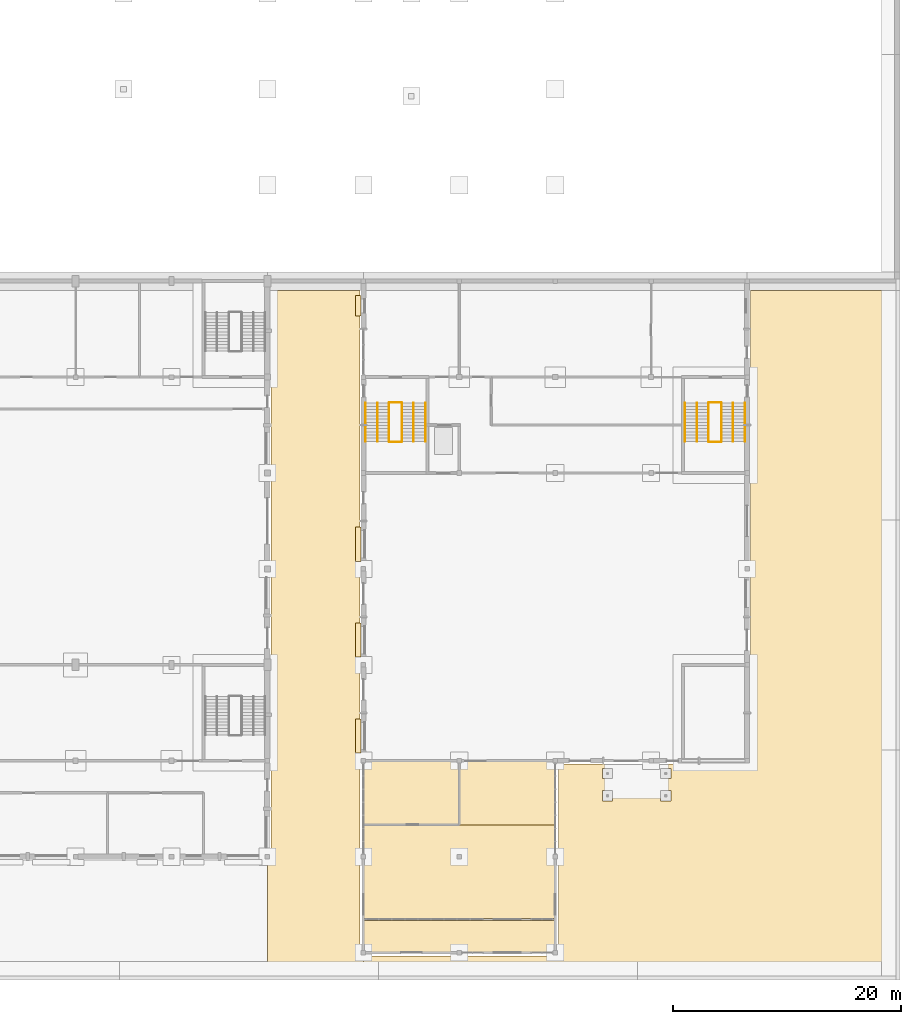
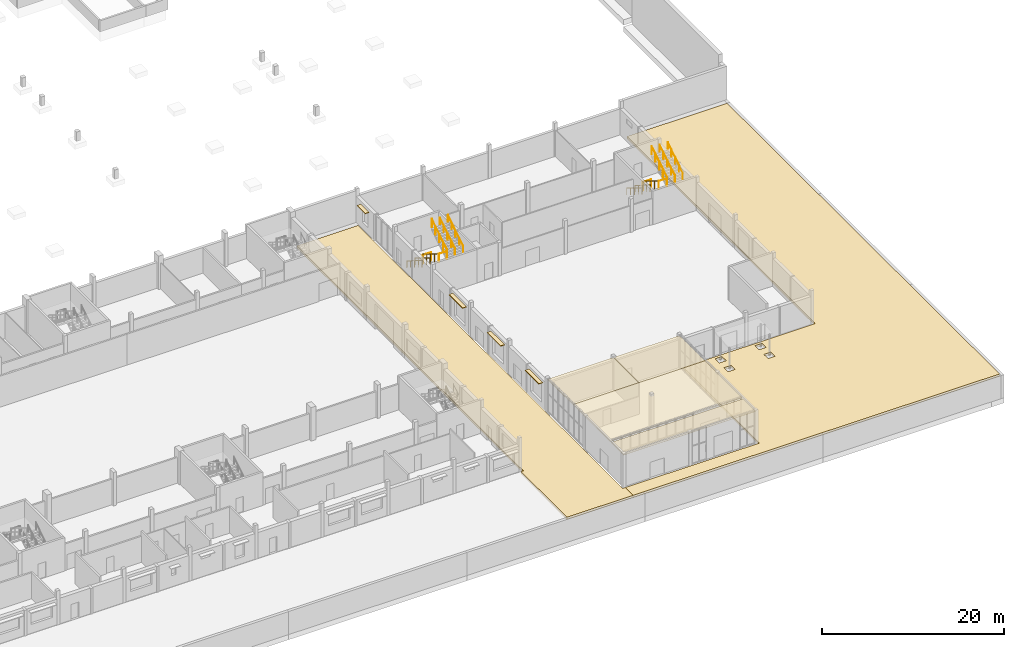
# One storey, part 35 of 36: 16 railings, 10 coverings.
"""IFC4 building model written with IfcOpenShell, lengths in metres."""

from ifc_helpers import new_model, si_unit, direction, frame, origin, origin_2d, place, context, subcontext, project, spatial, polyline, rectangle, circle, outline, extrude, material, layer, layer_set, type_object, element, save


model = new_model("IFC4")

# Units and contexts
model_context = context("Model", 3, precision=1e-05, world=origin(), true_north=direction((0.0, 1.0)))
body_context = subcontext(model_context, "Body", "Model", "MODEL_VIEW")
ifc_project = project(units=[si_unit("LENGTHUNIT", "METRE"), si_unit("AREAUNIT", "SQUARE_METRE"), si_unit("VOLUMEUNIT", "CUBIC_METRE"), si_unit("PLANEANGLEUNIT", "RADIAN"), si_unit("MASSUNIT", "GRAM", prefix="KILO")], contexts=[model_context])

# Site, building, storey
site_placement = place(None, origin())
site = spatial("IfcSite", under=ifc_project, at=site_placement, CompositionType="ELEMENT")
building_placement = place(site_placement, origin())
building = spatial("IfcBuilding", under=site, at=building_placement, Name="Fescue Hill Polytechnic", CompositionType="ELEMENT")
storey_placement = place(building_placement, origin())
storey = spatial("IfcBuildingStorey", under=building, at=storey_placement, Name="L00", CompositionType="ELEMENT", Elevation=0.0)

# Coverings
ifc_material_1 = material(Name="Precast concrete C40/50", Category="concrete")
ifc_layer_1 = layer(ifc_material_1, 0.080078125)
ifc_layer_set_1 = layer_set([ifc_layer_1], Name="Precast concrete C40/50")
covering_type_1 = type_object("IfcCoveringType", Name="Shade blade precast 500x80", PredefinedType="CLADDING", material=ifc_layer_set_1)
covering_1_placement = place(storey_placement, frame((125.5400390625, 48.22998046875, 3.050048828125), z_axis=(0.0, 0.0, 1.0), x_axis=(0.0, -1.0, 0.0)))
element("IfcCovering", 1, at=covering_1_placement, inside=storey, type_object=covering_type_1, Name="SB-L00-V3-1", PredefinedType="CLADDING", context=body_context, shape_type="SweptSolid", body=[
    extrude(rectangle(XDim=1.800048828125, YDim=0.5, at=origin_2d()), origin(), (0.0, 0.0, 1.0), 0.080078125),
])
for number, where, z_axis, x_axis, name in (
    (2, (125.5400390625, 27.3701171875, 3.349853515625), (0.0, 0.0, 1.0), (0.0, -1.0, 0.0), "SB-L00-V3-2"),
    (3, (125.5400390625, 18.969970703125, 3.349853515625), (0.0, 0.0, 1.0), (0.0, -1.0, 0.0), "SB-L00-V3-3"),
    (4, (125.5400390625, 10.570068359375, 3.349853515625), (0.0, 0.0, 1.0), (0.0, -1.0, 0.0), "SB-L00-V3-4"),
):
    element("IfcCovering", number, at=place(storey_placement, frame(where, z_axis=z_axis, x_axis=x_axis)), inside=storey, type_object=covering_type_1, Name=name, PredefinedType="CLADDING", context=body_context, shape_type="SweptSolid", body=[
        extrude(rectangle(XDim=3.0, YDim=0.5, at=origin_2d()), origin(), (0.0, 0.0, 1.0), 0.080078125),
    ])

# Railings
ifc_material_2 = material(Name="Steel 350W (350 MPa)", Category="steel")
railing_type_1 = type_object("IfcRailingType", Name="Stair guard steel 1100", PredefinedType="GUARDRAIL", material=ifc_material_2)
railing_1_placement = place(storey_placement, frame((128.25, 39.72509765625, 0.173095703125)))
element("IfcRailing", 5, at=railing_1_placement, inside=storey, type_object=railing_type_1, Name="L00 ST-V3-1 stair guard 1", PredefinedType="GUARDRAIL", context=body_context, shape_type="SweptSolid", body=[
    extrude(circle(Radius=0.02392578125, at=origin_2d()), frame((0.0, 0.0, 1.076171875), z_axis=(0.0, -0.850623216509, 0.525775754039), x_axis=(1.0, 0.0, 0.0)), (0.0, 0.0, 1.0), 3.9501953125),
    extrude(circle(Radius=0.02099609375, at=origin_2d()), origin(), (0.0, 0.0, 1.0), 1.052001953125),
    extrude(circle(Radius=0.02099609375, at=origin_2d()), frame((0.0, -0.840087890625, 0.519287109375)), (0.0, 0.0, 1.0), 1.052001953125),
    extrude(circle(Radius=0.02099609375, at=origin_2d()), frame((0.0, -1.68017578125, 1.03857421875)), (0.0, 0.0, 1.0), 1.052001953125),
    extrude(circle(Radius=0.02099609375, at=origin_2d()), frame((0.0, -2.52001953125, 1.5576171875)), (0.0, 0.0, 1.0), 1.052001953125),
    extrude(circle(Radius=0.02099609375, at=origin_2d()), frame((0.0, -3.360107421875, 2.076904296875)), (0.0, 0.0, 1.0), 1.052001953125),
])
railing_2_placement = place(storey_placement, frame((128.300048828125, 36.31494140625, 2.25)))
element("IfcRailing", 6, at=railing_2_placement, inside=storey, type_object=railing_type_1, Name="L00 ST-V3-1 stair guard 2", PredefinedType="GUARDRAIL", context=body_context, shape_type="SweptSolid", body=[
    extrude(circle(Radius=0.02392578125, at=origin_2d()), frame((0.0, 0.0, 1.076171875), z_axis=(1.0, 0.0, 0.0), x_axis=(0.0, 1.0, 0.0)), (0.0, 0.0, 1.0), 1.02490234375),
    extrude(circle(Radius=0.02099609375, at=origin_2d()), origin(), (0.0, 0.0, 1.0), 1.052001953125),
    extrude(circle(Radius=0.02099609375, at=origin_2d()), frame((1.02490234375, 0.0, 0.0)), (0.0, 0.0, 1.0), 1.052001953125),
])
railing_3_placement = place(storey_placement, frame((129.375, 36.364990234375, 2.423095703125)))
element("IfcRailing", 7, at=railing_3_placement, inside=storey, type_object=railing_type_1, Name="L00 ST-V3-1 stair guard 3", PredefinedType="GUARDRAIL", context=body_context, shape_type="SweptSolid", body=[
    extrude(circle(Radius=0.02392578125, at=origin_2d()), frame((0.0, 0.0, 1.076171875), z_axis=(0.0, 0.850623216509, 0.525775754039), x_axis=(-1.0, 0.0, 0.0)), (0.0, 0.0, 1.0), 3.9501953125),
    extrude(circle(Radius=0.02099609375, at=origin_2d()), origin(), (0.0, 0.0, 1.0), 1.052001953125),
    extrude(circle(Radius=0.02099609375, at=origin_2d()), frame((0.0, 0.840087890625, 0.519287109375)), (0.0, 0.0, 1.0), 1.052001953125),
    extrude(circle(Radius=0.02099609375, at=origin_2d()), frame((0.0, 1.68017578125, 1.03857421875)), (0.0, 0.0, 1.0), 1.052001953125),
    extrude(circle(Radius=0.02099609375, at=origin_2d()), frame((0.0, 2.52001953125, 1.5576171875)), (0.0, 0.0, 1.0), 1.052001953125),
    extrude(circle(Radius=0.02099609375, at=origin_2d()), frame((0.0, 3.360107421875, 2.076904296875)), (0.0, 0.0, 1.0), 1.052001953125),
])
railing_4_placement = place(storey_placement, frame((128.300048828125, 39.77490234375, 0.0)))
element("IfcRailing", 8, at=railing_4_placement, inside=storey, type_object=railing_type_1, Name="L00 ST-V3-1 stair guard 4", PredefinedType="GUARDRAIL", context=body_context, shape_type="SweptSolid", body=[
    extrude(circle(Radius=0.02392578125, at=origin_2d()), frame((0.0, 0.0, 1.076171875), z_axis=(1.0, 0.0, 0.0), x_axis=(0.0, 1.0, 0.0)), (0.0, 0.0, 1.0), 1.02490234375),
    extrude(circle(Radius=0.02099609375, at=origin_2d()), origin(), (0.0, 0.0, 1.0), 1.052001953125),
    extrude(circle(Radius=0.02099609375, at=origin_2d()), frame((1.02490234375, 0.0, 0.0)), (0.0, 0.0, 1.0), 1.052001953125),
])
railing_5_placement = place(storey_placement, frame((156.22509765625, 39.72509765625, 0.173095703125)))
element("IfcRailing", 9, at=railing_5_placement, inside=storey, type_object=railing_type_1, Name="L00 ST-V3-2 stair guard 1", PredefinedType="GUARDRAIL", context=body_context, shape_type="SweptSolid", body=[
    extrude(circle(Radius=0.02392578125, at=origin_2d()), frame((0.0, 0.0, 1.076171875), z_axis=(0.0, -0.850623216509, 0.525775754039), x_axis=(1.0, 0.0, 0.0)), (0.0, 0.0, 1.0), 3.9501953125),
    extrude(circle(Radius=0.02099609375, at=origin_2d()), origin(), (0.0, 0.0, 1.0), 1.052001953125),
    extrude(circle(Radius=0.02099609375, at=origin_2d()), frame((0.0, -0.840087890625, 0.519287109375)), (0.0, 0.0, 1.0), 1.052001953125),
    extrude(circle(Radius=0.02099609375, at=origin_2d()), frame((0.0, -1.68017578125, 1.03857421875)), (0.0, 0.0, 1.0), 1.052001953125),
    extrude(circle(Radius=0.02099609375, at=origin_2d()), frame((0.0, -2.52001953125, 1.5576171875)), (0.0, 0.0, 1.0), 1.052001953125),
    extrude(circle(Radius=0.02099609375, at=origin_2d()), frame((0.0, -3.360107421875, 2.076904296875)), (0.0, 0.0, 1.0), 1.052001953125),
])
railing_6_placement = place(storey_placement, frame((156.27490234375, 36.31494140625, 2.25)))
element("IfcRailing", 10, at=railing_6_placement, inside=storey, type_object=railing_type_1, Name="L00 ST-V3-2 stair guard 2", PredefinedType="GUARDRAIL", context=body_context, shape_type="SweptSolid", body=[
    extrude(circle(Radius=0.02392578125, at=origin_2d()), frame((0.0, 0.0, 1.076171875), z_axis=(1.0, 0.0, 0.0), x_axis=(0.0, 1.0, 0.0)), (0.0, 0.0, 1.0), 1.025146484375),
    extrude(circle(Radius=0.02099609375, at=origin_2d()), origin(), (0.0, 0.0, 1.0), 1.052001953125),
    extrude(circle(Radius=0.02099609375, at=origin_2d()), frame((1.025146484375, 0.0, 0.0)), (0.0, 0.0, 1.0), 1.052001953125),
])
railing_7_placement = place(storey_placement, frame((157.35009765625, 36.364990234375, 2.423095703125)))
element("IfcRailing", 11, at=railing_7_placement, inside=storey, type_object=railing_type_1, Name="L00 ST-V3-2 stair guard 3", PredefinedType="GUARDRAIL", context=body_context, shape_type="SweptSolid", body=[
    extrude(circle(Radius=0.02392578125, at=origin_2d()), frame((0.0, 0.0, 1.076171875), z_axis=(0.0, 0.850623216509, 0.525775754039), x_axis=(-1.0, 0.0, 0.0)), (0.0, 0.0, 1.0), 3.9501953125),
    extrude(circle(Radius=0.02099609375, at=origin_2d()), origin(), (0.0, 0.0, 1.0), 1.052001953125),
    extrude(circle(Radius=0.02099609375, at=origin_2d()), frame((0.0, 0.840087890625, 0.519287109375)), (0.0, 0.0, 1.0), 1.052001953125),
    extrude(circle(Radius=0.02099609375, at=origin_2d()), frame((0.0, 1.68017578125, 1.03857421875)), (0.0, 0.0, 1.0), 1.052001953125),
    extrude(circle(Radius=0.02099609375, at=origin_2d()), frame((0.0, 2.52001953125, 1.5576171875)), (0.0, 0.0, 1.0), 1.052001953125),
    extrude(circle(Radius=0.02099609375, at=origin_2d()), frame((0.0, 3.360107421875, 2.076904296875)), (0.0, 0.0, 1.0), 1.052001953125),
])
railing_8_placement = place(storey_placement, frame((156.27490234375, 39.77490234375, 0.0)))
element("IfcRailing", 12, at=railing_8_placement, inside=storey, type_object=railing_type_1, Name="L00 ST-V3-2 stair guard 4", PredefinedType="GUARDRAIL", context=body_context, shape_type="SweptSolid", body=[
    extrude(circle(Radius=0.02392578125, at=origin_2d()), frame((0.0, 0.0, 1.076171875), z_axis=(1.0, 0.0, 0.0), x_axis=(0.0, 1.0, 0.0)), (0.0, 0.0, 1.0), 1.025146484375),
    extrude(circle(Radius=0.02099609375, at=origin_2d()), origin(), (0.0, 0.0, 1.0), 1.052001953125),
    extrude(circle(Radius=0.02099609375, at=origin_2d()), frame((1.025146484375, 0.0, 0.0)), (0.0, 0.0, 1.0), 1.052001953125),
])
railing_type_2 = type_object("IfcRailingType", Name="Stair handrail steel 900", PredefinedType="HANDRAIL", material=ifc_material_2)
railing_9_placement = place(storey_placement, frame((126.199951171875, 39.72509765625, 0.173095703125)))
element("IfcRailing", 13, at=railing_9_placement, inside=storey, type_object=railing_type_2, Name="L00 ST-V3-1 stair handrail 1", PredefinedType="HANDRAIL", context=body_context, shape_type="SweptSolid", body=[
    extrude(circle(Radius=0.02392578125, at=origin_2d()), frame((0.0, 0.0, 0.8759765625), z_axis=(0.0, -0.850623216509, 0.525775754039), x_axis=(1.0, 0.0, 0.0)), (0.0, 0.0, 1.0), 3.9501953125),
    extrude(circle(Radius=0.02099609375, at=origin_2d()), origin(), (0.0, 0.0, 1.0), 0.851806640625),
    extrude(circle(Radius=0.02099609375, at=origin_2d()), frame((0.0, -0.840087890625, 0.519287109375)), (0.0, 0.0, 1.0), 0.851806640625),
    extrude(circle(Radius=0.02099609375, at=origin_2d()), frame((0.0, -1.68017578125, 1.03857421875)), (0.0, 0.0, 1.0), 0.851806640625),
    extrude(circle(Radius=0.02099609375, at=origin_2d()), frame((0.0, -2.52001953125, 1.5576171875)), (0.0, 0.0, 1.0), 0.851806640625),
    extrude(circle(Radius=0.02099609375, at=origin_2d()), frame((0.0, -3.360107421875, 2.076904296875)), (0.0, 0.0, 1.0), 0.851806640625),
])
railing_10_placement = place(storey_placement, frame((131.425048828125, 36.364990234375, 2.423095703125)))
element("IfcRailing", 14, at=railing_10_placement, inside=storey, type_object=railing_type_2, Name="L00 ST-V3-1 stair handrail 2", PredefinedType="HANDRAIL", context=body_context, shape_type="SweptSolid", body=[
    extrude(circle(Radius=0.02392578125, at=origin_2d()), frame((0.0, 0.0, 0.8759765625), z_axis=(0.0, 0.850623216509, 0.525775754039), x_axis=(-1.0, 0.0, 0.0)), (0.0, 0.0, 1.0), 3.9501953125),
    extrude(circle(Radius=0.02099609375, at=origin_2d()), origin(), (0.0, 0.0, 1.0), 0.851806640625),
    extrude(circle(Radius=0.02099609375, at=origin_2d()), frame((0.0, 0.840087890625, 0.519287109375)), (0.0, 0.0, 1.0), 0.851806640625),
    extrude(circle(Radius=0.02099609375, at=origin_2d()), frame((0.0, 1.68017578125, 1.03857421875)), (0.0, 0.0, 1.0), 0.851806640625),
    extrude(circle(Radius=0.02099609375, at=origin_2d()), frame((0.0, 2.52001953125, 1.5576171875)), (0.0, 0.0, 1.0), 0.851806640625),
    extrude(circle(Radius=0.02099609375, at=origin_2d()), frame((0.0, 3.360107421875, 2.076904296875)), (0.0, 0.0, 1.0), 0.851806640625),
])
railing_11_placement = place(storey_placement, frame((127.22509765625, 39.72509765625, 0.173095703125)))
element("IfcRailing", 15, at=railing_11_placement, inside=storey, type_object=railing_type_2, Name="L00 ST-V3-1 stair handrail 3", PredefinedType="HANDRAIL", context=body_context, shape_type="SweptSolid", body=[
    extrude(circle(Radius=0.02392578125, at=origin_2d()), frame((0.0, 0.0, 0.8759765625), z_axis=(0.0, -0.850623216509, 0.525775754039), x_axis=(1.0, 0.0, 0.0)), (0.0, 0.0, 1.0), 3.9501953125),
    extrude(circle(Radius=0.02099609375, at=origin_2d()), origin(), (0.0, 0.0, 1.0), 0.851806640625),
    extrude(circle(Radius=0.02099609375, at=origin_2d()), frame((0.0, -0.840087890625, 0.519287109375)), (0.0, 0.0, 1.0), 0.851806640625),
    extrude(circle(Radius=0.02099609375, at=origin_2d()), frame((0.0, -1.68017578125, 1.03857421875)), (0.0, 0.0, 1.0), 0.851806640625),
    extrude(circle(Radius=0.02099609375, at=origin_2d()), frame((0.0, -2.52001953125, 1.5576171875)), (0.0, 0.0, 1.0), 0.851806640625),
    extrude(circle(Radius=0.02099609375, at=origin_2d()), frame((0.0, -3.360107421875, 2.076904296875)), (0.0, 0.0, 1.0), 0.851806640625),
])
railing_12_placement = place(storey_placement, frame((130.39990234375, 36.364990234375, 2.423095703125)))
element("IfcRailing", 16, at=railing_12_placement, inside=storey, type_object=railing_type_2, Name="L00 ST-V3-1 stair handrail 4", PredefinedType="HANDRAIL", context=body_context, shape_type="SweptSolid", body=[
    extrude(circle(Radius=0.02392578125, at=origin_2d()), frame((0.0, 0.0, 0.8759765625), z_axis=(0.0, 0.850623216509, 0.525775754039), x_axis=(-1.0, 0.0, 0.0)), (0.0, 0.0, 1.0), 3.9501953125),
    extrude(circle(Radius=0.02099609375, at=origin_2d()), origin(), (0.0, 0.0, 1.0), 0.851806640625),
    extrude(circle(Radius=0.02099609375, at=origin_2d()), frame((0.0, 0.840087890625, 0.519287109375)), (0.0, 0.0, 1.0), 0.851806640625),
    extrude(circle(Radius=0.02099609375, at=origin_2d()), frame((0.0, 1.68017578125, 1.03857421875)), (0.0, 0.0, 1.0), 0.851806640625),
    extrude(circle(Radius=0.02099609375, at=origin_2d()), frame((0.0, 2.52001953125, 1.5576171875)), (0.0, 0.0, 1.0), 0.851806640625),
    extrude(circle(Radius=0.02099609375, at=origin_2d()), frame((0.0, 3.360107421875, 2.076904296875)), (0.0, 0.0, 1.0), 0.851806640625),
])
railing_13_placement = place(storey_placement, frame((154.175048828125, 39.72509765625, 0.173095703125)))
element("IfcRailing", 17, at=railing_13_placement, inside=storey, type_object=railing_type_2, Name="L00 ST-V3-2 stair handrail 1", PredefinedType="HANDRAIL", context=body_context, shape_type="SweptSolid", body=[
    extrude(circle(Radius=0.02392578125, at=origin_2d()), frame((0.0, 0.0, 0.8759765625), z_axis=(0.0, -0.850623216509, 0.525775754039), x_axis=(1.0, 0.0, 0.0)), (0.0, 0.0, 1.0), 3.9501953125),
    extrude(circle(Radius=0.02099609375, at=origin_2d()), origin(), (0.0, 0.0, 1.0), 0.851806640625),
    extrude(circle(Radius=0.02099609375, at=origin_2d()), frame((0.0, -0.840087890625, 0.519287109375)), (0.0, 0.0, 1.0), 0.851806640625),
    extrude(circle(Radius=0.02099609375, at=origin_2d()), frame((0.0, -1.68017578125, 1.03857421875)), (0.0, 0.0, 1.0), 0.851806640625),
    extrude(circle(Radius=0.02099609375, at=origin_2d()), frame((0.0, -2.52001953125, 1.5576171875)), (0.0, 0.0, 1.0), 0.851806640625),
    extrude(circle(Radius=0.02099609375, at=origin_2d()), frame((0.0, -3.360107421875, 2.076904296875)), (0.0, 0.0, 1.0), 0.851806640625),
])
railing_14_placement = place(storey_placement, frame((159.39990234375, 36.364990234375, 2.423095703125)))
element("IfcRailing", 18, at=railing_14_placement, inside=storey, type_object=railing_type_2, Name="L00 ST-V3-2 stair handrail 2", PredefinedType="HANDRAIL", context=body_context, shape_type="SweptSolid", body=[
    extrude(circle(Radius=0.02392578125, at=origin_2d()), frame((0.0, 0.0, 0.8759765625), z_axis=(0.0, 0.850623216509, 0.525775754039), x_axis=(-1.0, 0.0, 0.0)), (0.0, 0.0, 1.0), 3.9501953125),
    extrude(circle(Radius=0.02099609375, at=origin_2d()), origin(), (0.0, 0.0, 1.0), 0.851806640625),
    extrude(circle(Radius=0.02099609375, at=origin_2d()), frame((0.0, 0.840087890625, 0.519287109375)), (0.0, 0.0, 1.0), 0.851806640625),
    extrude(circle(Radius=0.02099609375, at=origin_2d()), frame((0.0, 1.68017578125, 1.03857421875)), (0.0, 0.0, 1.0), 0.851806640625),
    extrude(circle(Radius=0.02099609375, at=origin_2d()), frame((0.0, 2.52001953125, 1.5576171875)), (0.0, 0.0, 1.0), 0.851806640625),
    extrude(circle(Radius=0.02099609375, at=origin_2d()), frame((0.0, 3.360107421875, 2.076904296875)), (0.0, 0.0, 1.0), 0.851806640625),
])
railing_15_placement = place(storey_placement, frame((155.199951171875, 39.72509765625, 0.173095703125)))
element("IfcRailing", 19, at=railing_15_placement, inside=storey, type_object=railing_type_2, Name="L00 ST-V3-2 stair handrail 3", PredefinedType="HANDRAIL", context=body_context, shape_type="SweptSolid", body=[
    extrude(circle(Radius=0.02392578125, at=origin_2d()), frame((0.0, 0.0, 0.8759765625), z_axis=(0.0, -0.850623216509, 0.525775754039), x_axis=(1.0, 0.0, 0.0)), (0.0, 0.0, 1.0), 3.9501953125),
    extrude(circle(Radius=0.02099609375, at=origin_2d()), origin(), (0.0, 0.0, 1.0), 0.851806640625),
    extrude(circle(Radius=0.02099609375, at=origin_2d()), frame((0.0, -0.840087890625, 0.519287109375)), (0.0, 0.0, 1.0), 0.851806640625),
    extrude(circle(Radius=0.02099609375, at=origin_2d()), frame((0.0, -1.68017578125, 1.03857421875)), (0.0, 0.0, 1.0), 0.851806640625),
    extrude(circle(Radius=0.02099609375, at=origin_2d()), frame((0.0, -2.52001953125, 1.5576171875)), (0.0, 0.0, 1.0), 0.851806640625),
    extrude(circle(Radius=0.02099609375, at=origin_2d()), frame((0.0, -3.360107421875, 2.076904296875)), (0.0, 0.0, 1.0), 0.851806640625),
])
railing_16_placement = place(storey_placement, frame((158.375, 36.364990234375, 2.423095703125)))
element("IfcRailing", 20, at=railing_16_placement, inside=storey, type_object=railing_type_2, Name="L00 ST-V3-2 stair handrail 4", PredefinedType="HANDRAIL", context=body_context, shape_type="SweptSolid", body=[
    extrude(circle(Radius=0.02392578125, at=origin_2d()), frame((0.0, 0.0, 0.8759765625), z_axis=(0.0, 0.850623216509, 0.525775754039), x_axis=(-1.0, 0.0, 0.0)), (0.0, 0.0, 1.0), 3.9501953125),
    extrude(circle(Radius=0.02099609375, at=origin_2d()), origin(), (0.0, 0.0, 1.0), 0.851806640625),
    extrude(circle(Radius=0.02099609375, at=origin_2d()), frame((0.0, 0.840087890625, 0.519287109375)), (0.0, 0.0, 1.0), 0.851806640625),
    extrude(circle(Radius=0.02099609375, at=origin_2d()), frame((0.0, 1.68017578125, 1.03857421875)), (0.0, 0.0, 1.0), 0.851806640625),
    extrude(circle(Radius=0.02099609375, at=origin_2d()), frame((0.0, 2.52001953125, 1.5576171875)), (0.0, 0.0, 1.0), 0.851806640625),
    extrude(circle(Radius=0.02099609375, at=origin_2d()), frame((0.0, 3.360107421875, 2.076904296875)), (0.0, 0.0, 1.0), 0.851806640625),
])

# Coverings
ifc_material_3 = material(Name="Paving and gravel")
ifc_layer_2 = layer(ifc_material_3, 0.300048828125)
ifc_layer_set_2 = layer_set([ifc_layer_2], Name="Paving and gravel")
covering_type_2 = type_object("IfcCoveringType", Name="Terrace paving and gravel 300", PredefinedType="FLOORING", material=ifc_layer_set_2)
covering_2_placement = place(storey_placement, frame((0.0, 0.0, -0.300048828125)))
element("IfcCovering", 21, at=covering_2_placement, inside=storey, type_object=covering_type_2, Name="Lane paving", PredefinedType="FLOORING", context=body_context, shape_type="SweptSolid", body=[
    extrude(outline(polyline([(117.89990234375, 49.60009765625), (125.699951171875, 49.60009765625), (125.699951171875, -8.699951171875), (126.0, -8.699951171875), (126.0, -10.443115234375), (117.60009765625, -10.443115234375), (117.60009765625, -0.300048828125), (117.89990234375, -0.300048828125), (117.89990234375, 49.60009765625)])), origin(), (0.0, 0.0, 1.0), 0.300048828125),
])
covering_3_placement = place(storey_placement, frame((0.0, 0.0, -0.300048828125)))
element("IfcCovering", 22, at=covering_3_placement, inside=storey, type_object=covering_type_2, Name="East yard paving", PredefinedType="FLOORING", context=body_context, shape_type="SweptSolid", body=[
    extrude(outline(polyline([(143.10009765625, -8.699951171875), (143.10009765625, 8.10009765625), (159.89990234375, 8.10009765625), (159.89990234375, 49.60009765625), (172.64306640625, 49.60009765625), (172.64306640625, -10.443115234375), (126.0, -10.443115234375), (126.0, -8.699951171875), (143.10009765625, -8.699951171875)]), holes=[polyline([(152.030029296875, 4.889892578125), (152.929931640625, 4.889892578125), (152.929931640625, 5.7900390625), (152.030029296875, 5.7900390625), (152.030029296875, 4.889892578125)]), polyline([(152.929931640625, 6.840087890625), (152.929931640625, 7.739990234375), (152.030029296875, 7.739990234375), (152.030029296875, 6.840087890625), (152.929931640625, 6.840087890625)]), polyline([(146.929931640625, 4.889892578125), (147.830078125, 4.889892578125), (147.830078125, 5.7900390625), (146.929931640625, 5.7900390625), (146.929931640625, 4.889892578125)]), polyline([(146.929931640625, 6.840087890625), (147.830078125, 6.840087890625), (147.830078125, 7.739990234375), (146.929931640625, 7.739990234375), (146.929931640625, 6.840087890625)])]), origin(), (0.0, 0.0, 1.0), 0.300048828125),
])
covering_4_placement = place(storey_placement, frame((134.39990234375, -1.300048828125, 4.14990234375), z_axis=(0.0, 0.0, 1.0), x_axis=(1.0, 0.0, 0.0)))
element("IfcCovering", 23, at=covering_4_placement, inside=storey, Name="Ceiling Entrance Lobby 0.60", PredefinedType="CEILING", context=body_context, shape_type="SweptSolid", body=[
    extrude(rectangle(XDim=16.800048828125, YDim=8.199951171875, at=origin_2d()), origin(), (0.0, 0.0, 1.0), 0.0400390625),
])
for number, where, z_axis, x_axis, name in (
    (24, (138.60009765625, 5.60009765625, 4.14990234375), (0.0, 0.0, 1.0), (1.0, 0.0, 0.0), "Ceiling Lobby 0.61"),
    (25, (130.199951171875, 5.60009765625, 4.14990234375), (0.0, 0.0, 1.0), (1.0, 0.0, 0.0), "Ceiling Reception 0.62"),
):
    element("IfcCovering", number, at=place(storey_placement, frame(where, z_axis=z_axis, x_axis=x_axis)), inside=storey, Name=name, PredefinedType="CEILING", context=body_context, shape_type="SweptSolid", body=[
        extrude(rectangle(XDim=8.39990234375, YDim=5.60009765625, at=origin_2d()), origin(), (0.0, 0.0, 1.0), 0.0400390625),
    ])
covering_5_placement = place(storey_placement, frame((134.39990234375, -7.0, 4.14990234375), z_axis=(0.0, 0.0, 1.0), x_axis=(1.0, 0.0, 0.0)))
element("IfcCovering", 26, at=covering_5_placement, inside=storey, Name="Ceiling Entrance Vestibule 0.63", PredefinedType="CEILING", context=body_context, shape_type="SweptSolid", body=[
    extrude(rectangle(XDim=16.800048828125, YDim=2.800048828125, at=origin_2d()), origin(), (0.0, 0.0, 1.0), 0.0400390625),
])

save(model, "model.ifc")
